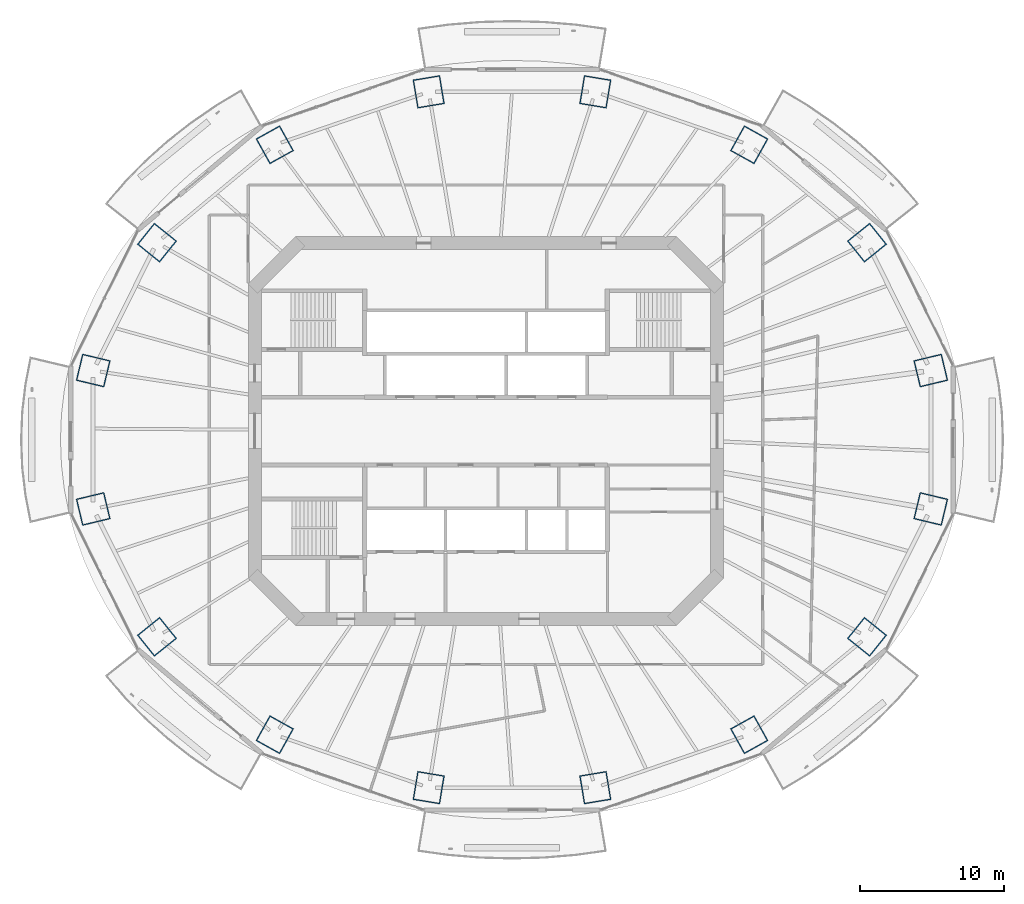
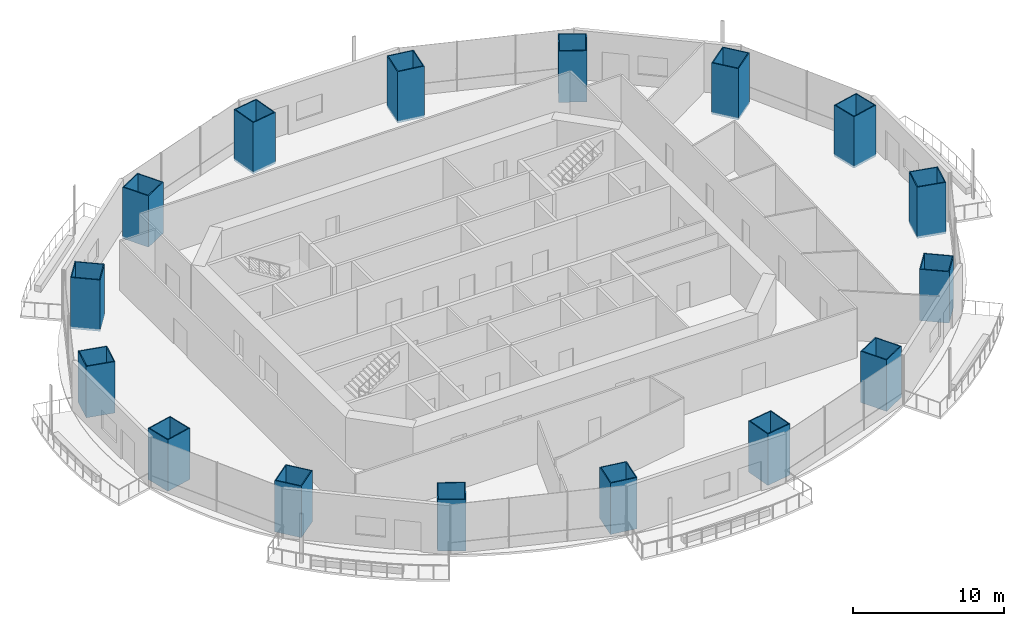
# One storey, part 1 of 20: 16 columns.
"""IFC4 building model written with IfcOpenShell, lengths in metres."""

import ifcopenshell
import ifcopenshell.guid

model = None  # the IFC model being written
_history = None  # IfcOwnerHistory: only IFC2X3 demands one
_inside = {}  # id of a spatial element -> (the spatial element, [elements in it])
_under = {}  # id of a project, library or spatial element -> (it, [spatial elements below it])
_declared = {}  # id of a project -> (the project, [libraries it declares])
_typed = {}  # id of a type object -> (the type object, [elements of that type])
_made_of = {}  # id of a material, layer set ... -> (it, [elements and type objects made of it])


def new_model(schema):
    """Start an empty IFC model of exactly this schema.

    Asked for "IFC4X3", IfcOpenShell would pick the latest addendum, in which some entities
    have other attributes; the version numbers below select the first issue.
    IFC2X3 requires an IfcOwnerHistory on every rooted entity: one is made here for all.
    """
    global model, _history
    if schema == "IFC4X3":
        model = ifcopenshell.file(schema_version=(4, 3, 0, 0))
    else:
        model = ifcopenshell.file(schema=schema)
    _inside.clear()
    _under.clear()
    _declared.clear()
    _typed.clear()
    _made_of.clear()
    _history = None
    if model.schema == "IFC2X3":
        org = make("IfcOrganization", Name="unknown")
        user = make(
            "IfcPersonAndOrganization",
            ThePerson=make("IfcPerson", FamilyName="unknown"),
            TheOrganization=org,
        )
        app = make(
            "IfcApplication",
            ApplicationDeveloper=org,
            Version="unknown",
            ApplicationFullName="unknown",
            ApplicationIdentifier="unknown",
        )
        _history = make(
            "IfcOwnerHistory",
            OwningUser=user,
            OwningApplication=app,
            ChangeAction="ADDED",
            CreationDate=0,
        )
    return model


def make(cls, **values):
    """One entity of the class cls with the attributes given. An attribute that is None is left unset."""
    return model.create_entity(
        cls, **{name: value for name, value in values.items() if value is not None}
    )


def rooted(cls, **values):
    """An entity with a GlobalId (a new one), such as an element, a storey or a relation."""
    return make(cls, GlobalId=ifcopenshell.guid.new(), OwnerHistory=_history, **values)


def si_unit(unit_type, name, prefix=None):
    """IfcSIUnit, for example si_unit("LENGTHUNIT", "METRE", prefix="MILLI")."""
    return make("IfcSIUnit", UnitType=unit_type, Prefix=prefix, Name=name)


def assignment(units):
    """IfcUnitAssignment: the units of a project."""
    return None if units is None else make("IfcUnitAssignment", Units=units)


def point(xyz):
    """IfcCartesianPoint."""
    return None if xyz is None else make("IfcCartesianPoint", Coordinates=xyz)


def direction(xyz):
    """IfcDirection."""
    return None if xyz is None else make("IfcDirection", DirectionRatios=xyz)


def frame(location, z_axis=None, x_axis=None):
    """IfcAxis2Placement3D, a coordinate frame: its origin and axes. An axis left out is left unset."""
    return make(
        "IfcAxis2Placement3D",
        Location=point(location),
        Axis=direction(z_axis),
        RefDirection=direction(x_axis),
    )


def frame_2d(location, x_axis=None):
    """IfcAxis2Placement2D, a coordinate frame in the plane: its origin and x axis."""
    return make(
        "IfcAxis2Placement2D", Location=point(location), RefDirection=direction(x_axis)
    )


def origin():
    """The frame at (0, 0, 0) with its axes left unset."""
    return frame((0.0, 0.0, 0.0))


def origin_2d():
    """The frame at (0, 0) in the plane with its x axis left unset."""
    return frame_2d((0.0, 0.0))


def place(relative_to, where):
    """IfcLocalPlacement: puts the frame where relative to a parent placement (None: the world)."""
    return make(
        "IfcLocalPlacement", PlacementRelTo=relative_to, RelativePlacement=where
    )


def context(
    kind, dimensions, precision=None, world=None, true_north=None, identifier=None
):
    """IfcGeometricRepresentationContext, for example the 3D "Model" context."""
    return make(
        "IfcGeometricRepresentationContext",
        ContextIdentifier=identifier,
        ContextType=kind,
        CoordinateSpaceDimension=dimensions,
        Precision=precision,
        WorldCoordinateSystem=world,
        TrueNorth=true_north,
    )


def subcontext(parent, identifier, kind, view, scale=None):
    """IfcGeometricRepresentationSubContext, for example "Body" below "Model"."""
    return make(
        "IfcGeometricRepresentationSubContext",
        ContextIdentifier=identifier,
        ContextType=kind,
        ParentContext=parent,
        TargetScale=scale,
        TargetView=view,
    )


def project(units=None, contexts=None):
    """IfcProject with its units and contexts."""
    return rooted(
        "IfcProject",
        Name="project",
        RepresentationContexts=contexts,
        UnitsInContext=assignment(units),
    )


def spatial(cls, under=None, at=None, **own):
    """A site, building, storey or space (cls), placed at a placement, below another one or the project."""
    s = rooted(cls, ObjectPlacement=at, **own)
    if under is not None:
        _under.setdefault(under.id(), (under, []))[1].append(s)
    return s


def profile(cls, at=None, kind="AREA", **sizes):
    """A parametric profile (cls). Its sizes go by their IFC names, for example OverallWidth=200.0."""
    return make(cls, ProfileType=kind, Position=at, **sizes)


def rectangle(**sizes):
    """IfcRectangleProfileDef."""
    return profile("IfcRectangleProfileDef", **sizes)


def hollow_rectangle(**sizes):
    """IfcRectangleHollowProfileDef."""
    return profile("IfcRectangleHollowProfileDef", **sizes)


def extrude(swept, where, along, depth):
    """IfcExtrudedAreaSolid: the profile swept, set in the frame where, extruded along a direction by depth."""
    return make(
        "IfcExtrudedAreaSolid",
        SweptArea=swept,
        Position=where,
        ExtrudedDirection=direction(along),
        Depth=depth,
    )


def shape(context_of_items, identifier, shape_type, items):
    """IfcShapeRepresentation: the items that make up one representation, for example the "Body"."""
    return make(
        "IfcShapeRepresentation",
        ContextOfItems=context_of_items,
        RepresentationIdentifier=identifier,
        RepresentationType=shape_type,
        Items=items,
    )


def material(Name=None, Category=None):
    """IfcMaterial."""
    return make("IfcMaterial", Name=Name, Category=Category)


def material_profile(
    of_material, cross_section, Name=None, Category=None, Priority=None
):
    """IfcMaterialProfile: a cross section and its material."""
    return make(
        "IfcMaterialProfile",
        Name=Name,
        Material=of_material,
        Profile=cross_section,
        Priority=Priority,
        Category=Category,
    )


def profile_set(profiles, Name=None, composite=None):
    """IfcMaterialProfileSet."""
    return make(
        "IfcMaterialProfileSet",
        Name=Name,
        MaterialProfiles=profiles,
        CompositeProfile=composite,
    )


def made_of(thing, what):
    """Note that an element or type object is made of a material, layer set ...; save() writes the relation."""
    if what is not None:
        _made_of.setdefault(what.id(), (what, []))[1].append(thing)
    return thing


def type_object(cls, material=None, **own):
    """A type object (cls), such as IfcWallType, which elements share."""
    return made_of(rooted(cls, **own), material)


def element(
    cls,
    number,
    at=None,
    inside=None,
    cuts=None,
    type_object=None,
    material=None,
    context=None,
    identifier="Body",
    shape_type=None,
    held_by="IfcProductDefinitionShape",
    body=None,
    shapes=None,
    **own,
):
    """One element of the class cls, such as IfcWall. Its Tag is "e" and its number.

    at: its placement. inside: the storey or other place that contains it. cuts: it is an
    opening in that element (IfcRelVoidsElement). A single representation is given by context,
    identifier, shape_type and body (its items); several are given by shapes. held_by: the class
    of the entity that holds the representations. save() writes the other relations.
    """
    e = rooted(cls, Tag="e%d" % number, ObjectPlacement=at, **own)
    if body is not None:
        shapes = [shape(context, identifier, shape_type, body)]
    if shapes is not None:
        e.Representation = make(held_by, Representations=shapes)
    if inside is not None:
        _inside.setdefault(inside.id(), (inside, []))[1].append(e)
    if cuts is not None:
        rooted(
            "IfcRelVoidsElement", RelatingBuildingElement=cuts, RelatedOpeningElement=e
        )
    if type_object is not None:
        _typed.setdefault(type_object.id(), (type_object, []))[1].append(e)
    return made_of(e, material)


def aggregate(whole, parts):
    """IfcRelAggregates: a whole, such as a stair, and the parts it consists of."""
    return rooted("IfcRelAggregates", RelatingObject=whole, RelatedObjects=parts)


def save(model, path):
    """Write the relations noted so far, then the file.

    IfcRelAggregates (storeys below a building ...), IfcRelContainedInSpatialStructure (elements
    in a storey), IfcRelDefinesByType, IfcRelAssociatesMaterial and IfcRelDeclares: one each for
    every whole, place, type object, material and project.
    """
    for whole, parts in _under.values():
        aggregate(whole, parts)
    for where, things in _inside.values():
        rooted(
            "IfcRelContainedInSpatialStructure",
            RelatedElements=things,
            RelatingStructure=where,
        )
    for kind, things in _typed.values():
        rooted("IfcRelDefinesByType", RelatedObjects=things, RelatingType=kind)
    for what, things in _made_of.values():
        rooted("IfcRelAssociatesMaterial", RelatedObjects=things, RelatingMaterial=what)
    for by, libraries in _declared.values():
        rooted("IfcRelDeclares", RelatingContext=by, RelatedDefinitions=libraries)
    model.write(path)


model = new_model("IFC4")

# Units and contexts
model_context = context("Model", 3, precision=1e-05, world=origin(), true_north=direction((0.0, 1.0)))
body_context = subcontext(model_context, "Body", "Model", "MODEL_VIEW")
ifc_project = project(units=[si_unit("LENGTHUNIT", "METRE"), si_unit("AREAUNIT", "SQUARE_METRE"), si_unit("VOLUMEUNIT", "CUBIC_METRE"), si_unit("PLANEANGLEUNIT", "RADIAN"), si_unit("MASSUNIT", "GRAM", prefix="KILO")], contexts=[model_context])

# Site, building, storey
site_placement = place(None, origin())
site = spatial("IfcSite", under=ifc_project, at=site_placement, CompositionType="ELEMENT")
building_placement = place(site_placement, origin())
building = spatial("IfcBuilding", under=site, at=building_placement, Name="Marenthal Gate Tower", CompositionType="ELEMENT")
storey_placement = place(building_placement, frame((0.0, 0.0, 219.14990234375)))
storey = spatial("IfcBuildingStorey", under=building, at=storey_placement, Name="L48", CompositionType="ELEMENT", Elevation=219.14990234375)

# Columns
ifc_material_1 = material(Name="Steel S460", Category="steel")
ifc_material_profile_1 = material_profile(ifc_material_1, hollow_rectangle(XDim=1.89990234375, YDim=2.0, WallThickness=0.070068359375, at=origin_2d()), Name="CFT BOX 2000X1900X70")
ifc_material_2 = material(Name="Concrete 70 MPa", Category="concrete")
ifc_material_profile_2 = material_profile(ifc_material_2, rectangle(XDim=1.760009765625, YDim=1.860107421875, at=origin_2d()), Name="CFT BOX 2000X1900X70 INFILL")
ifc_profile_set = profile_set([ifc_material_profile_1, ifc_material_profile_2], Name="Steel S460 shell, Concrete 70 MPa infill")
column_type = type_object("IfcColumnType", Name="CFT BOX 2000X1900X70", PredefinedType="COLUMN", material=ifc_profile_set)
for number, where, z_axis, x_axis, name in (
    (1, (30.7822265625, 4.189453125, -0.179931640625), (0.0, 0.0, 1.0), (0.232842846574, -0.972514374598, 0.0), "COL-L48-01"),
    (2, (26.369873046875, 13.039306640625, -0.179931640625), (0.0, 0.0, 1.0), (0.626719421583, -0.779244997809, 0.0), "COL-L48-02"),
    (3, (18.217041015625, 19.8125, -0.179931640625), (0.0, 0.0, 1.0), (0.874319155172, -0.485351434426, 0.0), "COL-L48-03"),
    (4, (7.56494140625, 23.478271484375, -0.179931640625), (0.0, 0.0, 1.0), (0.986618870634, -0.163043565061, 0.0), "COL-L48-04"),
    (5, (-3.96484375, 23.478271484375, -0.179931640625), (0.0, 0.0, 1.0), (0.986618870634, 0.163043565061, 0.0), "COL-L48-05"),
    (6, (-14.6171875, 19.8125, -0.179931640625), (0.0, 0.0, 1.0), (0.874319155172, 0.485351434426, 0.0), "COL-L48-06"),
    (7, (-22.77001953125, 13.039306640625, -0.179931640625), (0.0, 0.0, 1.0), (0.626719421583, 0.779244997809, 0.0), "COL-L48-07"),
    (8, (-27.18212890625, 4.189453125, -0.179931640625), (0.0, 0.0, 1.0), (0.232842846574, 0.972514374598, 0.0), "COL-L48-08"),
    (9, (-27.18212890625, -5.389404296875, -0.179931640625), (0.0, 0.0, 1.0), (-0.232842846574, 0.972514374598, 0.0), "COL-L48-09"),
    (10, (-22.77001953125, -14.2392578125, -0.179931640625), (0.0, 0.0, 1.0), (-0.626719421583, 0.779244997809, 0.0), "COL-L48-10"),
    (11, (-14.6171875, -21.0126953125, -0.179931640625), (0.0, 0.0, 1.0), (-0.874319155172, 0.485351434426, 0.0), "COL-L48-11"),
    (12, (-3.96484375, -24.67822265625, -0.179931640625), (0.0, 0.0, 1.0), (-0.986618870634, 0.163043565061, 0.0), "COL-L48-12"),
    (13, (7.56494140625, -24.67822265625, -0.179931640625), (0.0, 0.0, 1.0), (-0.986618870634, -0.163043565061, 0.0), "COL-L48-13"),
    (14, (18.217041015625, -21.0126953125, -0.179931640625), (0.0, 0.0, 1.0), (-0.874319155172, -0.485351434426, 0.0), "COL-L48-14"),
    (15, (26.369873046875, -14.2392578125, -0.179931640625), (0.0, 0.0, 1.0), (-0.626719421583, -0.779244997809, 0.0), "COL-L48-15"),
    (16, (30.7822265625, -5.389404296875, -0.179931640625), (0.0, 0.0, 1.0), (-0.232842846574, -0.972514374598, 0.0), "COL-L48-16"),
):
    element("IfcColumn", number, at=place(storey_placement, frame(where, z_axis=z_axis, x_axis=x_axis)), inside=storey, type_object=column_type, Name=name, PredefinedType="COLUMN", context=body_context, shape_type="SweptSolid", body=[
        extrude(hollow_rectangle(XDim=1.89990234375, YDim=2.0, WallThickness=0.070068359375, at=origin_2d()), origin(), (0.0, 0.0, 1.0), 4.150146484375),
    ])

save(model, "model.ifc")
